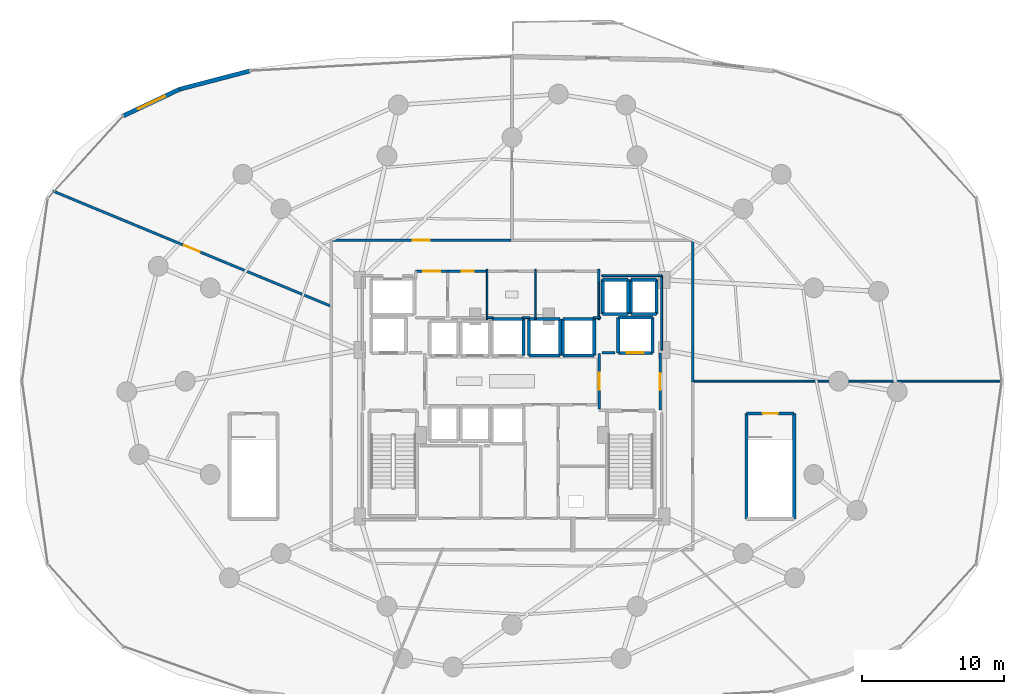
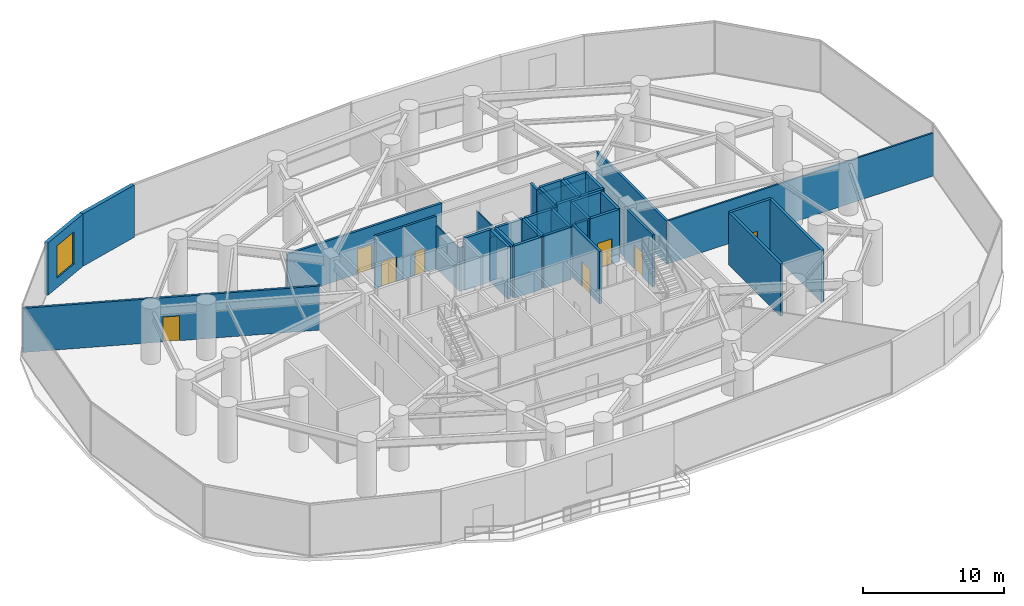
# One storey, part 28 of 32: 45 walls, 8 doors, 1 window, 9 openings.
"""IFC4 building model written with IfcOpenShell, lengths in metres."""

from ifc_helpers import new_model, si_unit, direction, frame, frame_2d, origin, place, context, subcontext, project, spatial, rectangle, extrude, material, layer, layer_set, type_object, element, fill, save


model = new_model("IFC4")

# Units and contexts
model_context = context("Model", 3, precision=1e-05, world=origin(), true_north=direction((0.0, 1.0)))
body_context = subcontext(model_context, "Body", "Model", "MODEL_VIEW")
ifc_project = project(units=[si_unit("LENGTHUNIT", "METRE"), si_unit("AREAUNIT", "SQUARE_METRE"), si_unit("VOLUMEUNIT", "CUBIC_METRE"), si_unit("PLANEANGLEUNIT", "RADIAN"), si_unit("MASSUNIT", "GRAM", prefix="KILO")], contexts=[model_context])

# Site, building, storey
site_placement = place(None, origin())
site = spatial("IfcSite", under=ifc_project, at=site_placement, CompositionType="ELEMENT")
building_placement = place(site_placement, origin())
building = spatial("IfcBuilding", under=site, at=building_placement, Name="Vorneva Point Tower", CompositionType="ELEMENT")
storey_placement = place(building_placement, frame((0.0, 0.0, 19.199951171875)))
storey = spatial("IfcBuildingStorey", under=building, at=storey_placement, Name="L04", CompositionType="ELEMENT", Elevation=19.199951171875)

# Wall, opening, door
ifc_material_1 = material(Name="Concrete B60 (C50/60)", Category="concrete")
ifc_layer_1 = layer(ifc_material_1, 0.5)
ifc_layer_set_1 = layer_set([ifc_layer_1], Name="Concrete B60 (C50/60)")
wall_type_1 = type_object("IfcWallType", Name="WL-CORE-500", PredefinedType="SHEAR", material=ifc_layer_set_1)
wall_1_placement = place(storey_placement, frame((45.5, 28.0, 0.0), z_axis=(0.0, 0.0, 1.0), x_axis=(1.0, 0.0, 0.0)))
wall_1 = element("IfcWall", 1, at=wall_1_placement, inside=storey, type_object=wall_type_1, Name="L04 Lift FFL2 Shaft Wall -Y", PredefinedType="SHEAR", context=body_context, shape_type="SweptSolid", body=[
    extrude(rectangle(XDim=2.39990234375, YDim=0.219970703125, at=frame_2d((1.199951171875, 0.0))), origin(), (0.0, 0.0, 1.0), 4.5400390625),
])
opening_1_placement = place(wall_1_placement, frame((0.60009765625, 0.0, 0.0)))
opening_1 = element("IfcOpeningElement", 2, at=opening_1_placement, cuts=wall_1, Name="Opening LD-02", PredefinedType="OPENING", context=body_context, shape_type="SweptSolid", body=[
    extrude(rectangle(XDim=1.199951171875, YDim=2.199951171875, at=frame_2d((0.60009765625, 1.10009765625))), frame((0.0, 0.125, 0.0), z_axis=(0.0, -1.0, 0.0), x_axis=(1.0, 0.0, 0.0)), (0.0, 0.0, 1.0), 0.249755859375),
])
ifc_material_2 = material(Name="Brushed stainless steel S304", Category="steel")
door_type_1 = type_object("IfcDoorType", Name="LD-FIRE-1200", OperationType="SLIDING_TO_LEFT", PredefinedType="DOOR", material=ifc_material_2)
door_1_placement = place(opening_1_placement, origin())
door_1 = element("IfcDoor", 3, at=door_1_placement, inside=storey, type_object=door_type_1, Name="L04 Lift FFL2 Sliding Landing Door", OperationType="SLIDING_TO_LEFT", OverallHeight=2.199951171875, OverallWidth=1.199951171875, PredefinedType="DOOR", context=body_context, shape_type="SweptSolid", body=[
    extrude(rectangle(XDim=1.199951171875, YDim=2.199951171875, at=frame_2d((0.60009765625, 1.10009765625))), frame((0.0, 0.02490234375, 0.0), z_axis=(0.0, -1.0, 0.0), x_axis=(1.0, 0.0, 0.0)), (0.0, 0.0, 1.0), 0.050048828125),
])
fill(opening_1, door_1)

# Walls
wall_2_placement = place(storey_placement, frame((47.89990234375, 28.0, 0.0), z_axis=(0.0, 0.0, 1.0), x_axis=(0.0, 1.0, 0.0)))
element("IfcWall", 4, at=wall_2_placement, inside=storey, type_object=wall_type_1, Name="L04 Lift FFL2 Shaft Wall +X", PredefinedType="SHEAR", context=body_context, shape_type="SweptSolid", body=[
    extrude(rectangle(XDim=2.5, YDim=0.219970703125, at=frame_2d((1.25, 0.0))), origin(), (0.0, 0.0, 1.0), 4.5400390625),
])
wall_3_placement = place(storey_placement, frame((47.89990234375, 30.5, 0.0), z_axis=(0.0, 0.0, 1.0), x_axis=(-1.0, 0.0, 0.0)))
element("IfcWall", 5, at=wall_3_placement, inside=storey, type_object=wall_type_1, Name="L04 Lift FFL2 Shaft Wall +Y", PredefinedType="SHEAR", context=body_context, shape_type="SweptSolid", body=[
    extrude(rectangle(XDim=2.39990234375, YDim=0.219970703125, at=frame_2d((1.199951171875, 0.0))), origin(), (0.0, 0.0, 1.0), 4.5400390625),
])
wall_4_placement = place(storey_placement, frame((45.5, 30.5, 0.0), z_axis=(0.0, 0.0, 1.0), x_axis=(0.0, -1.0, 0.0)))
element("IfcWall", 6, at=wall_4_placement, inside=storey, type_object=wall_type_1, Name="L04 Lift FFL2 Shaft Wall -X", PredefinedType="SHEAR", context=body_context, shape_type="SweptSolid", body=[
    extrude(rectangle(XDim=2.5, YDim=0.219970703125, at=frame_2d((1.25, 0.0))), origin(), (0.0, 0.0, 1.0), 4.5400390625),
])
ifc_material_3 = material(Name="Precast concrete B50 (C40/50)", Category="concrete")
ifc_layer_2 = layer(ifc_material_3, 0.300048828125)
ifc_layer_set_2 = layer_set([ifc_layer_2], Name="Precast concrete B50 (C40/50)")
wall_type_2 = type_object("IfcWallType", Name="WL-EXT-300", PredefinedType="STANDARD", material=ifc_layer_set_2)
wall_5_placement = place(storey_placement, frame((19.517578125, 47.892822265625, 0.0), z_axis=(0.0, 0.0, 1.0), x_axis=(-0.967631926566, -0.252365716155, 0.0)))
element("IfcWall", 7, at=wall_5_placement, inside=storey, type_object=wall_type_2, Name="L04 Pale-Metal Facade Spandrel Wall 06.1", PredefinedType="STANDARD", context=body_context, shape_type="SweptSolid", body=[
    extrude(rectangle(XDim=5.130126953125, YDim=0.300048828125, at=frame_2d((2.56494140625, 0.0))), origin(), (0.0, 0.0, 1.0), 4.5400390625),
])

# Wall, opening, window
wall_6_placement = place(storey_placement, frame((14.553466796875, 46.59814453125, 0.0), z_axis=(0.0, 0.0, 1.0), x_axis=(-0.904206917273, -0.427094662523, 0.0)))
wall_6 = element("IfcWall", 8, at=wall_6_placement, inside=storey, type_object=wall_type_2, Name="L04 Pale-Metal Facade Spandrel Wall 06.2", PredefinedType="STANDARD", context=body_context, shape_type="SweptSolid", body=[
    extrude(rectangle(XDim=4.39306640625, YDim=0.300048828125, at=frame_2d((2.196533203125, 0.0))), origin(), (0.0, 0.0, 1.0), 4.5400390625),
])
opening_2_placement = place(wall_6_placement, frame((1.146484375, 0.0, 0.85009765625)))
opening_2 = element("IfcOpeningElement", 9, at=opening_2_placement, cuts=wall_6, Name="Opening W-05", PredefinedType="OPENING", context=body_context, shape_type="SweptSolid", body=[
    extrude(rectangle(XDim=2.10009765625, YDim=2.800048828125, at=frame_2d((1.050048828125, 1.39990234375))), frame((0.0, 0.1650390625, 0.0), z_axis=(0.0, -1.0, 0.0), x_axis=(1.0, 0.0, 0.0)), (0.0, 0.0, 1.0), 0.329833984375),
])
ifc_material_4 = material(Name="Double low-e laminated glass IGU", Category="glass")
window_type = type_object("IfcWindowType", Name="WN-POD-2100", PartitioningType="SINGLE_PANEL", PredefinedType="WINDOW", material=ifc_material_4)
window_placement = place(opening_2_placement, origin())
window = element("IfcWindow", 10, at=window_placement, inside=storey, type_object=window_type, Name="L04 Facade Window 06", OverallHeight=2.800048828125, OverallWidth=2.10009765625, PartitioningType="SINGLE_PANEL", PredefinedType="WINDOW", context=body_context, shape_type="SweptSolid", body=[
    extrude(rectangle(XDim=2.10009765625, YDim=2.800048828125, at=frame_2d((1.050048828125, 1.39990234375))), frame((0.0, 0.030029296875, 0.0), z_axis=(0.0, -1.0, 0.0), x_axis=(1.0, 0.0, 0.0)), (0.0, 0.0, 1.0), 0.06005859375),
])
fill(opening_2, window)

# Walls
ifc_material_5 = material(Name="Fire-rated acoustic gypsum stud partition", Category="gypsum")
ifc_layer_3 = layer(ifc_material_5, 0.110107421875)
ifc_layer_set_3 = layer_set([ifc_layer_3], Name="Fire-rated acoustic gypsum stud partition")
wall_type_3 = type_object("IfcWallType", Name="WL-PART-110", PredefinedType="PARTITIONING", material=ifc_layer_set_3)
for number, where, z_axis, x_axis, name in (
    (11, (36.25, 30.340087890625, 0.0), (0.0, 0.0, 1.0), (0.0, 1.0, 0.0), "L04 Interior Partition 017"),
    (12, (39.64990234375, 30.340087890625, 0.0), (0.0, 0.0, 1.0), (0.0, 1.0, 0.0), "L04 Interior Partition 019"),
):
    element("IfcWall", number, at=place(storey_placement, frame(where, z_axis=z_axis, x_axis=x_axis)), inside=storey, type_object=wall_type_3, Name=name, PredefinedType="PARTITIONING", context=body_context, shape_type="SweptSolid", body=[
        extrude(rectangle(XDim=3.559814453125, YDim=0.110107421875, at=frame_2d((1.77978515625, 0.0))), origin(), (0.0, 0.0, 1.0), 3.73193359375),
    ])
ifc_layer_4 = layer(ifc_material_5, 0.139892578125)
ifc_layer_set_4 = layer_set([ifc_layer_4], Name="Fire-rated acoustic gypsum stud partition")
wall_type_4 = type_object("IfcWallType", Name="WL-PART-140", PredefinedType="PARTITIONING", material=ifc_layer_set_4)
wall_7_placement = place(storey_placement, frame((50.75, 26.0, 0.0), z_axis=(0.0, 0.0, 1.0), x_axis=(1.0, 0.0, 0.0)))
element("IfcWall", 13, at=wall_7_placement, inside=storey, type_object=wall_type_4, Name="L04 Interior Partition 039", PredefinedType="PARTITIONING", context=body_context, shape_type="SweptSolid", body=[
    extrude(rectangle(XDim=21.81298828125, YDim=0.139892578125, at=frame_2d((10.906494140625, 0.0))), origin(), (0.0, 0.0, 1.0), 3.73193359375),
])
wall_8_placement = place(storey_placement, frame((36.219970703125, 30.47998046875, 0.0), z_axis=(0.0, 0.0, 1.0), x_axis=(1.0, 0.0, 0.0)))
element("IfcWall", 14, at=wall_8_placement, inside=storey, type_object=wall_type_4, Name="L04 Interior Closure Partition 047", PredefinedType="PARTITIONING", context=body_context, shape_type="SweptSolid", body=[
    extrude(rectangle(XDim=0.445068359375, YDim=0.139892578125, at=frame_2d((0.22265625, 0.0))), origin(), (0.0, 0.0, 1.0), 3.73193359375),
])
wall_9_placement = place(storey_placement, frame((38.735107421875, 30.47998046875, 0.0), z_axis=(0.0, 0.0, 1.0), x_axis=(1.0, 0.0, 0.0)))
element("IfcWall", 15, at=wall_9_placement, inside=storey, type_object=wall_type_4, Name="L04 Interior Closure Partition 048", PredefinedType="PARTITIONING", context=body_context, shape_type="SweptSolid", body=[
    extrude(rectangle(XDim=0.52978515625, YDim=0.139892578125, at=frame_2d((0.264892578125, 0.0))), origin(), (0.0, 0.0, 1.0), 3.73193359375),
])
wall_10_placement = place(storey_placement, frame((43.735107421875, 30.47998046875, 0.0), z_axis=(0.0, 0.0, 1.0), x_axis=(1.0, 0.0, 0.0)))
element("IfcWall", 16, at=wall_10_placement, inside=storey, type_object=wall_type_4, Name="L04 Interior Closure Partition 049", PredefinedType="PARTITIONING", context=body_context, shape_type="SweptSolid", body=[
    extrude(rectangle(XDim=0.52490234375, YDim=0.139892578125, at=frame_2d((0.262451171875, 0.0))), origin(), (0.0, 0.0, 1.0), 4.5400390625),
])
wall_11_placement = place(storey_placement, frame((44.1201171875, 30.340087890625, 0.0), z_axis=(0.0, 0.0, 1.0), x_axis=(0.0, 1.0, 0.0)))
element("IfcWall", 17, at=wall_11_placement, inside=storey, type_object=wall_type_4, Name="L04 Interior Closure Partition 050", PredefinedType="PARTITIONING", context=body_context, shape_type="SweptSolid", body=[
    extrude(rectangle(XDim=2.659912109375, YDim=0.139892578125, at=frame_2d((1.330078125, 0.0))), origin(), (0.0, 0.0, 1.0), 4.5400390625),
])
wall_12_placement = place(storey_placement, frame((44.340087890625, 33.449951171875, 0.0), z_axis=(0.0, 0.0, 1.0), x_axis=(1.0, 0.0, 0.0)))
element("IfcWall", 18, at=wall_12_placement, inside=storey, type_object=wall_type_4, Name="L04 Interior Closure Partition 053", PredefinedType="PARTITIONING", context=body_context, shape_type="SweptSolid", body=[
    extrude(rectangle(XDim=4.2099609375, YDim=0.139892578125, at=frame_2d((2.10498046875, 0.0))), origin(), (0.0, 0.0, 1.0), 3.73193359375),
])
wall_13_placement = place(storey_placement, frame((48.550048828125, 33.449951171875, 0.0), z_axis=(0.0, 0.0, 1.0), x_axis=(0.0, -1.0, 0.0)))
element("IfcWall", 19, at=wall_13_placement, inside=storey, type_object=wall_type_4, Name="L04 Interior Closure Partition 054", PredefinedType="PARTITIONING", context=body_context, shape_type="SweptSolid", body=[
    extrude(rectangle(XDim=5.25390625, YDim=0.139892578125, at=frame_2d((2.626953125, 0.0))), origin(), (0.0, 0.0, 1.0), 3.73193359375),
])

# Wall, opening, door
ifc_material_6 = material(Name="Autoclaved aerated concrete blockwork", Category="masonry")
ifc_layer_5 = layer(ifc_material_6, 0.179931640625)
ifc_layer_set_5 = layer_set([ifc_layer_5], Name="Autoclaved aerated concrete blockwork")
wall_type_5 = type_object("IfcWallType", Name="WL-PART-180", PredefinedType="PARTITIONING", material=ifc_layer_set_5)
wall_14_placement = place(storey_placement, frame((44.14990234375, 27.955078125, 0.0), z_axis=(0.0, 0.0, 1.0), x_axis=(0.0, -1.0, 0.0)))
wall_14 = element("IfcWall", 20, at=wall_14_placement, inside=storey, type_object=wall_type_5, Name="L04 Interior Partition 003", PredefinedType="PARTITIONING", context=body_context, shape_type="SweptSolid", body=[
    extrude(rectangle(XDim=3.91015625, YDim=0.179931640625, at=frame_2d((1.955078125, 0.0))), origin(), (0.0, 0.0, 1.0), 4.5400390625),
])
opening_3_placement = place(wall_14_placement, frame((1.35498046875, 0.0, 0.0)))
opening_3 = element("IfcOpeningElement", 21, at=opening_3_placement, cuts=wall_14, Name="Opening FD-02", PredefinedType="OPENING", context=body_context, shape_type="SweptSolid", body=[
    extrude(rectangle(XDim=1.199951171875, YDim=2.14990234375, at=frame_2d((0.60009765625, 1.074951171875))), frame((0.0, 0.10498046875, 0.0), z_axis=(0.0, -1.0, 0.0), x_axis=(1.0, 0.0, 0.0)), (0.0, 0.0, 1.0), 0.209716796875),
])
ifc_material_7 = material(Name="Fire-rated powder-coated steel", Category="steel")
door_type_2 = type_object("IfcDoorType", Name="DR-FFL-1200", OperationType="NOTDEFINED", PredefinedType="DOOR", material=ifc_material_7)
door_2_placement = place(opening_3_placement, origin())
door_2 = element("IfcDoor", 22, at=door_2_placement, inside=storey, type_object=door_type_2, Name="L04 Door East Firefighting Lobby / Central Lift Lobby", OperationType="SINGLE_SWING_RIGHT", OverallHeight=2.14990234375, OverallWidth=1.199951171875, PredefinedType="DOOR", context=body_context, shape_type="SweptSolid", body=[
    extrude(rectangle(XDim=1.199951171875, YDim=2.14990234375, at=frame_2d((0.60009765625, 1.074951171875))), frame((0.0, 0.02490234375, 0.0), z_axis=(0.0, -1.0, 0.0), x_axis=(1.0, 0.0, 0.0)), (0.0, 0.0, 1.0), 0.050048828125),
])
fill(opening_3, door_2)

wall_15_placement = place(storey_placement, frame((48.449951171875, 23.949951171875, 0.0), z_axis=(0.0, 0.0, 1.0), x_axis=(0.0, 1.0, 0.0)))
wall_15 = element("IfcWall", 23, at=wall_15_placement, inside=storey, type_object=wall_type_5, Name="L04 Interior Partition 005", PredefinedType="PARTITIONING", context=body_context, shape_type="SweptSolid", body=[
    extrude(rectangle(XDim=4.050048828125, YDim=0.179931640625, at=frame_2d((2.02490234375, 0.0))), origin(), (0.0, 0.0, 1.0), 4.5400390625),
])
opening_4_placement = place(wall_15_placement, frame((1.425048828125, 0.0, 0.0)))
opening_4 = element("IfcOpeningElement", 24, at=opening_4_placement, cuts=wall_15, Name="Opening FD-02", PredefinedType="OPENING", context=body_context, shape_type="SweptSolid", body=[
    extrude(rectangle(XDim=1.199951171875, YDim=2.14990234375, at=frame_2d((0.60009765625, 1.074951171875))), frame((0.0, 0.10498046875, 0.0), z_axis=(0.0, -1.0, 0.0), x_axis=(1.0, 0.0, 0.0)), (0.0, 0.0, 1.0), 0.209716796875),
])
door_3_placement = place(opening_4_placement, origin())
door_3 = element("IfcDoor", 25, at=door_3_placement, inside=storey, type_object=door_type_2, Name="L04 Door East Firefighting Lobby / L04 Circulation Corridor", OperationType="SINGLE_SWING_LEFT", OverallHeight=2.14990234375, OverallWidth=1.199951171875, PredefinedType="DOOR", context=body_context, shape_type="SweptSolid", body=[
    extrude(rectangle(XDim=1.199951171875, YDim=2.14990234375, at=frame_2d((0.60009765625, 1.074951171875))), frame((0.0, 0.02490234375, 0.0), z_axis=(0.0, -1.0, 0.0), x_axis=(1.0, 0.0, 0.0)), (0.0, 0.0, 1.0), 0.050048828125),
])
fill(opening_4, door_3)

wall_16_placement = place(storey_placement, frame((33.469970703125, 33.760009765625, 0.0), z_axis=(0.0, 0.0, 1.0), x_axis=(-1.0, 0.0, 0.0)))
wall_16 = element("IfcWall", 26, at=wall_16_placement, inside=storey, type_object=wall_type_5, Name="L04 Interior Partition 007", PredefinedType="PARTITIONING", context=body_context, shape_type="SweptSolid", body=[
    extrude(rectangle(XDim=2.27001953125, YDim=0.179931640625, at=frame_2d((1.135009765625, 0.0))), origin(), (0.0, 0.0, 1.0), 4.5400390625),
])
opening_5_placement = place(wall_16_placement, frame((0.534912109375, 0.0, 0.0)))
opening_5 = element("IfcOpeningElement", 27, at=opening_5_placement, cuts=wall_16, Name="Opening FD-02", PredefinedType="OPENING", context=body_context, shape_type="SweptSolid", body=[
    extrude(rectangle(XDim=1.199951171875, YDim=2.14990234375, at=frame_2d((0.60009765625, 1.074951171875))), frame((0.0, 0.10498046875, 0.0), z_axis=(0.0, -1.0, 0.0), x_axis=(1.0, 0.0, 0.0)), (0.0, 0.0, 1.0), 0.209716796875),
])
door_4_placement = place(opening_5_placement, origin())
door_4 = element("IfcDoor", 28, at=door_4_placement, inside=storey, type_object=door_type_2, Name="L04 Door Service Lift Lobby / L04 Circulation Corridor", OperationType="SINGLE_SWING_LEFT", OverallHeight=2.14990234375, OverallWidth=1.199951171875, PredefinedType="DOOR", context=body_context, shape_type="SweptSolid", body=[
    extrude(rectangle(XDim=1.199951171875, YDim=2.14990234375, at=frame_2d((0.60009765625, 1.074951171875))), frame((0.0, 0.02490234375, 0.0), z_axis=(0.0, -1.0, 0.0), x_axis=(1.0, 0.0, 0.0)), (0.0, 0.0, 1.0), 0.050048828125),
])
fill(opening_5, door_4)

wall_17_placement = place(storey_placement, frame((36.25, 33.760009765625, 0.0), z_axis=(0.0, 0.0, 1.0), x_axis=(-1.0, 0.0, 0.0)))
wall_17 = element("IfcWall", 29, at=wall_17_placement, inside=storey, type_object=wall_type_5, Name="L04 Interior Partition 018", PredefinedType="PARTITIONING", context=body_context, shape_type="SweptSolid", body=[
    extrude(rectangle(XDim=2.75, YDim=0.179931640625, at=frame_2d((1.375, 0.0))), origin(), (0.0, 0.0, 1.0), 4.5400390625),
])
opening_6_placement = place(wall_17_placement, frame((0.949951171875, 0.0, 0.0)))
opening_6 = element("IfcOpeningElement", 30, at=opening_6_placement, cuts=wall_17, Name="Opening ID-02", PredefinedType="OPENING", context=body_context, shape_type="SweptSolid", body=[
    extrude(rectangle(XDim=0.85009765625, YDim=2.10009765625, at=frame_2d((0.425048828125, 1.050048828125))), frame((0.0, 0.10498046875, 0.0), z_axis=(0.0, -1.0, 0.0), x_axis=(1.0, 0.0, 0.0)), (0.0, 0.0, 1.0), 0.209716796875),
])
ifc_material_8 = material(Name="Engineered oak fire-rated door leaf", Category="wood")
door_type_3 = type_object("IfcDoorType", Name="DR-BATH-850", OperationType="NOTDEFINED", PredefinedType="DOOR", material=ifc_material_8)
door_5_placement = place(opening_6_placement, origin())
door_5 = element("IfcDoor", 31, at=door_5_placement, inside=storey, type_object=door_type_3, Name="L04 Door Core Supply Store / L04 Circulation Corridor", OperationType="SINGLE_SWING_LEFT", OverallHeight=2.10009765625, OverallWidth=0.85009765625, PredefinedType="DOOR", context=body_context, shape_type="SweptSolid", body=[
    extrude(rectangle(XDim=0.85009765625, YDim=2.10009765625, at=frame_2d((0.425048828125, 1.050048828125))), frame((0.0, 0.02490234375, 0.0), z_axis=(0.0, -1.0, 0.0), x_axis=(1.0, 0.0, 0.0)), (0.0, 0.0, 1.0), 0.050048828125),
])
fill(opening_6, door_5)

# Walls
wall_18_placement = place(storey_placement, frame((44.1201171875, 32.969970703125, 0.0), z_axis=(0.0, 0.0, 1.0), x_axis=(0.0, 1.0, 0.0)))
element("IfcWall", 32, at=wall_18_placement, inside=storey, type_object=wall_type_5, Name="L04 Interior Partition 022", PredefinedType="PARTITIONING", context=body_context, shape_type="SweptSolid", body=[
    extrude(rectangle(XDim=0.929931640625, YDim=0.179931640625, at=frame_2d((0.46484375, 0.0))), origin(), (0.0, 0.0, 1.0), 4.5400390625),
])
wall_19_placement = place(storey_placement, frame((50.75, 25.93994140625, 0.0), z_axis=(0.0, 0.0, 1.0), x_axis=(0.0, 1.0, 0.0)))
element("IfcWall", 33, at=wall_19_placement, inside=storey, type_object=wall_type_5, Name="L04 Interior Partition 026", PredefinedType="PARTITIONING", context=body_context, shape_type="SweptSolid", body=[
    extrude(rectangle(XDim=10.010009765625, YDim=0.179931640625, at=frame_2d((5.0048828125, 0.0))), origin(), (0.0, 0.0, 1.0), 3.73193359375),
])

# Wall, opening, door
wall_20_placement = place(storey_placement, frame((37.93994140625, 35.949951171875, 0.0), z_axis=(0.0, 0.0, 1.0), x_axis=(-1.0, 0.0, 0.0)))
wall_20 = element("IfcWall", 34, at=wall_20_placement, inside=storey, type_object=wall_type_5, Name="L04 Interior Partition 028", PredefinedType="PARTITIONING", context=body_context, shape_type="SweptSolid", body=[
    extrude(rectangle(XDim=12.68994140625, YDim=0.179931640625, at=frame_2d((6.344970703125, 0.0))), origin(), (0.0, 0.0, 1.0), 3.73193359375),
])
opening_7_placement = place(wall_20_placement, frame((5.7451171875, 0.0, 0.0)))
opening_7 = element("IfcOpeningElement", 35, at=opening_7_placement, cuts=wall_20, Name="Opening FD-02", PredefinedType="OPENING", context=body_context, shape_type="SweptSolid", body=[
    extrude(rectangle(XDim=1.199951171875, YDim=2.14990234375, at=frame_2d((0.60009765625, 1.074951171875))), frame((0.0, 0.10498046875, 0.0), z_axis=(0.0, -1.0, 0.0), x_axis=(1.0, 0.0, 0.0)), (0.0, 0.0, 1.0), 0.209716796875),
])
door_6_placement = place(opening_7_placement, origin())
door_6 = element("IfcDoor", 36, at=door_6_placement, inside=storey, type_object=door_type_2, Name="L04 Door L04 Circulation Corridor / Pre-Function Foyer L04", OperationType="SINGLE_SWING_LEFT", OverallHeight=2.14990234375, OverallWidth=1.199951171875, PredefinedType="DOOR", context=body_context, shape_type="SweptSolid", body=[
    extrude(rectangle(XDim=1.199951171875, YDim=2.14990234375, at=frame_2d((0.60009765625, 1.074951171875))), frame((0.0, 0.02490234375, 0.0), z_axis=(0.0, -1.0, 0.0), x_axis=(1.0, 0.0, 0.0)), (0.0, 0.0, 1.0), 0.050048828125),
])
fill(opening_7, door_6)

wall_21_placement = place(storey_placement, frame((5.591064453125, 39.424072265625, 0.0), z_axis=(0.0, 0.0, 1.0), x_axis=(0.923878391349, -0.382686187363, 0.0)))
wall_21 = element("IfcWall", 37, at=wall_21_placement, inside=storey, type_object=wall_type_5, Name="L04 Interior Partition 040", PredefinedType="PARTITIONING", context=body_context, shape_type="SweptSolid", body=[
    extrude(rectangle(XDim=21.27880859375, YDim=0.179931640625, at=frame_2d((10.639404296875, 0.0))), origin(), (0.0, 0.0, 1.0), 3.8291015625),
])
opening_8_placement = place(wall_21_placement, frame((10.039306640625, 0.0, 0.0)))
opening_8 = element("IfcOpeningElement", 38, at=opening_8_placement, cuts=wall_21, Name="Opening FD-02", PredefinedType="OPENING", context=body_context, shape_type="SweptSolid", body=[
    extrude(rectangle(XDim=1.199951171875, YDim=2.14990234375, at=frame_2d((0.60009765625, 1.074951171875))), frame((0.0, 0.10498046875, 0.0), z_axis=(0.0, -1.0, 0.0), x_axis=(1.0, 0.0, 0.0)), (0.0, 0.0, 1.0), 0.209716796875),
])
door_7_placement = place(opening_8_placement, origin())
door_7 = element("IfcDoor", 39, at=door_7_placement, inside=storey, type_object=door_type_2, Name="L04 Door Pre-Function Foyer L04 / Conference Hall L04", OperationType="SINGLE_SWING_RIGHT", OverallHeight=2.14990234375, OverallWidth=1.199951171875, PredefinedType="DOOR", context=body_context, shape_type="SweptSolid", body=[
    extrude(rectangle(XDim=1.199951171875, YDim=2.14990234375, at=frame_2d((0.60009765625, 1.074951171875))), frame((0.0, 0.02490234375, 0.0), z_axis=(0.0, -1.0, 0.0), x_axis=(1.0, 0.0, 0.0)), (0.0, 0.0, 1.0), 0.050048828125),
])
fill(opening_8, door_7)

# Wall
wall_22_placement = place(storey_placement, frame((45.280029296875, 28.0, 0.0), z_axis=(0.0, 0.0, 1.0), x_axis=(-1.0, 0.0, 0.0)))
element("IfcWall", 40, at=wall_22_placement, inside=storey, type_object=wall_type_5, Name="L04 Interior Closure Partition 044", PredefinedType="PARTITIONING", context=body_context, shape_type="SweptSolid", body=[
    extrude(rectangle(XDim=0.9150390625, YDim=0.179931640625, at=frame_2d((0.45751953125, 0.0))), origin(), (0.0, 0.0, 1.0), 4.5400390625),
])

# Wall, opening, door
ifc_material_9 = material(Name="Concrete B50 (C40/50)", Category="concrete")
ifc_layer_6 = layer(ifc_material_9, 0.219970703125)
ifc_layer_set_6 = layer_set([ifc_layer_6], Name="Concrete B50 (C40/50)")
wall_type_6 = type_object("IfcWallType", Name="WL-SHFT-220", PredefinedType="SOLIDWALL", material=ifc_layer_set_6)
wall_23_placement = place(storey_placement, frame((54.5400390625, 23.7099609375, 0.0), z_axis=(0.0, 0.0, 1.0), x_axis=(1.0, 0.0, 0.0)))
wall_23 = element("IfcWall", 41, at=wall_23_placement, inside=storey, type_object=wall_type_6, Name="L04 Exit Stair ST4 Shaft Wall near", PredefinedType="SOLIDWALL", context=body_context, shape_type="SweptSolid", body=[
    extrude(rectangle(XDim=3.369873046875, YDim=0.219970703125, at=frame_2d((1.68505859375, 0.0))), origin(), (0.0, 0.0, 1.0), 4.5400390625),
])
opening_9_placement = place(wall_23_placement, frame((1.135009765625, 0.0, 0.0)))
opening_9 = element("IfcOpeningElement", 42, at=opening_9_placement, cuts=wall_23, Name="Opening FD-01", PredefinedType="OPENING", context=body_context, shape_type="SweptSolid", body=[
    extrude(rectangle(XDim=1.10009765625, YDim=2.14990234375, at=frame_2d((0.550048828125, 1.074951171875))), frame((0.0, 0.125, 0.0), z_axis=(0.0, -1.0, 0.0), x_axis=(1.0, 0.0, 0.0)), (0.0, 0.0, 1.0), 0.249755859375),
])
door_type_4 = type_object("IfcDoorType", Name="DR-STAIR-1100", OperationType="NOTDEFINED", PredefinedType="DOOR", material=ifc_material_7)
door_8_placement = place(opening_9_placement, origin())
door_8 = element("IfcDoor", 43, at=door_8_placement, inside=storey, type_object=door_type_4, Name="L04 Exit Stair ST4 Fire Door", OperationType="SINGLE_SWING_LEFT", OverallHeight=2.14990234375, OverallWidth=1.10009765625, PredefinedType="DOOR", context=body_context, shape_type="SweptSolid", body=[
    extrude(rectangle(XDim=1.10009765625, YDim=2.14990234375, at=frame_2d((0.550048828125, 1.074951171875))), frame((0.0, 0.02490234375, 0.0), z_axis=(0.0, -1.0, 0.0), x_axis=(1.0, 0.0, 0.0)), (0.0, 0.0, 1.0), 0.050048828125),
])
fill(opening_9, door_8)

# Walls
for number, where, z_axis, x_axis, name in (
    (44, (57.909912109375, 23.7099609375, 0.0), (0.0, 0.0, 1.0), (0.0, -1.0, 0.0), "L04 Exit Stair ST4 Shaft Wall right"),
    (45, (54.5400390625, 16.2900390625, 0.0), (0.0, 0.0, 1.0), (0.0, 1.0, 0.0), "L04 Exit Stair ST4 Shaft Wall left"),
):
    element("IfcWall", number, at=place(storey_placement, frame(where, z_axis=z_axis, x_axis=x_axis)), inside=storey, type_object=wall_type_6, Name=name, PredefinedType="SOLIDWALL", context=body_context, shape_type="SweptSolid", body=[
        extrude(rectangle(XDim=7.419921875, YDim=0.219970703125, at=frame_2d((3.7099609375, 0.0))), origin(), (0.0, 0.0, 1.0), 4.5400390625),
    ])
wall_24_placement = place(storey_placement, frame((38.800048828125, 27.800048828125, 0.0), z_axis=(0.0, 0.0, 1.0), x_axis=(0.0, 1.0, 0.0)))
element("IfcWall", 46, at=wall_24_placement, inside=storey, type_object=wall_type_6, Name="L04 Lift PL3 Shaft Wall +X", PredefinedType="SOLIDWALL", context=body_context, shape_type="SweptSolid", body=[
    extrude(rectangle(XDim=2.599853515625, YDim=0.219970703125, at=frame_2d((1.2998046875, 0.0))), origin(), (0.0, 0.0, 1.0), 4.5400390625),
])
for number, where, z_axis, x_axis, name in (
    (47, (38.800048828125, 30.39990234375, 0.0), (0.0, 0.0, 1.0), (-1.0, 0.0, 0.0), "L04 Lift PL3 Shaft Wall +Y"),
    (48, (39.199951171875, 27.800048828125, 0.0), (0.0, 0.0, 1.0), (1.0, 0.0, 0.0), "L04 Lift PL7 Shaft Wall -Y"),
):
    element("IfcWall", number, at=place(storey_placement, frame(where, z_axis=z_axis, x_axis=x_axis)), inside=storey, type_object=wall_type_6, Name=name, PredefinedType="SOLIDWALL", context=body_context, shape_type="SweptSolid", body=[
        extrude(rectangle(XDim=2.199951171875, YDim=0.219970703125, at=frame_2d((1.10009765625, 0.0))), origin(), (0.0, 0.0, 1.0), 4.5400390625),
    ])
wall_25_placement = place(storey_placement, frame((41.39990234375, 27.800048828125, 0.0), z_axis=(0.0, 0.0, 1.0), x_axis=(0.0, 1.0, 0.0)))
element("IfcWall", 49, at=wall_25_placement, inside=storey, type_object=wall_type_6, Name="L04 Lift PL7 Shaft Wall +X", PredefinedType="SOLIDWALL", context=body_context, shape_type="SweptSolid", body=[
    extrude(rectangle(XDim=2.599853515625, YDim=0.219970703125, at=frame_2d((1.2998046875, 0.0))), origin(), (0.0, 0.0, 1.0), 4.5400390625),
])
wall_26_placement = place(storey_placement, frame((41.39990234375, 30.39990234375, 0.0), z_axis=(0.0, 0.0, 1.0), x_axis=(-1.0, 0.0, 0.0)))
element("IfcWall", 50, at=wall_26_placement, inside=storey, type_object=wall_type_6, Name="L04 Lift PL7 Shaft Wall +Y", PredefinedType="SOLIDWALL", context=body_context, shape_type="SweptSolid", body=[
    extrude(rectangle(XDim=2.199951171875, YDim=0.219970703125, at=frame_2d((1.10009765625, 0.0))), origin(), (0.0, 0.0, 1.0), 4.5400390625),
])
wall_27_placement = place(storey_placement, frame((39.199951171875, 30.39990234375, 0.0), z_axis=(0.0, 0.0, 1.0), x_axis=(0.0, -1.0, 0.0)))
element("IfcWall", 51, at=wall_27_placement, inside=storey, type_object=wall_type_6, Name="L04 Lift PL7 Shaft Wall -X", PredefinedType="SOLIDWALL", context=body_context, shape_type="SweptSolid", body=[
    extrude(rectangle(XDim=2.599853515625, YDim=0.219970703125, at=frame_2d((1.2998046875, 0.0))), origin(), (0.0, 0.0, 1.0), 4.5400390625),
])
wall_28_placement = place(storey_placement, frame((41.60009765625, 27.800048828125, 0.0), z_axis=(0.0, 0.0, 1.0), x_axis=(1.0, 0.0, 0.0)))
element("IfcWall", 52, at=wall_28_placement, inside=storey, type_object=wall_type_6, Name="L04 Lift PL8 Shaft Wall -Y", PredefinedType="SOLIDWALL", context=body_context, shape_type="SweptSolid", body=[
    extrude(rectangle(XDim=2.199951171875, YDim=0.219970703125, at=frame_2d((1.10009765625, 0.0))), origin(), (0.0, 0.0, 1.0), 4.5400390625),
])
wall_29_placement = place(storey_placement, frame((43.800048828125, 27.800048828125, 0.0), z_axis=(0.0, 0.0, 1.0), x_axis=(0.0, 1.0, 0.0)))
element("IfcWall", 53, at=wall_29_placement, inside=storey, type_object=wall_type_6, Name="L04 Lift PL8 Shaft Wall +X", PredefinedType="SOLIDWALL", context=body_context, shape_type="SweptSolid", body=[
    extrude(rectangle(XDim=2.599853515625, YDim=0.219970703125, at=frame_2d((1.2998046875, 0.0))), origin(), (0.0, 0.0, 1.0), 4.5400390625),
])
wall_30_placement = place(storey_placement, frame((43.800048828125, 30.39990234375, 0.0), z_axis=(0.0, 0.0, 1.0), x_axis=(-1.0, 0.0, 0.0)))
element("IfcWall", 54, at=wall_30_placement, inside=storey, type_object=wall_type_6, Name="L04 Lift PL8 Shaft Wall +Y", PredefinedType="SOLIDWALL", context=body_context, shape_type="SweptSolid", body=[
    extrude(rectangle(XDim=2.199951171875, YDim=0.219970703125, at=frame_2d((1.10009765625, 0.0))), origin(), (0.0, 0.0, 1.0), 4.5400390625),
])
wall_31_placement = place(storey_placement, frame((41.60009765625, 30.39990234375, 0.0), z_axis=(0.0, 0.0, 1.0), x_axis=(0.0, -1.0, 0.0)))
element("IfcWall", 55, at=wall_31_placement, inside=storey, type_object=wall_type_6, Name="L04 Lift PL8 Shaft Wall -X", PredefinedType="SOLIDWALL", context=body_context, shape_type="SweptSolid", body=[
    extrude(rectangle(XDim=2.599853515625, YDim=0.219970703125, at=frame_2d((1.2998046875, 0.0))), origin(), (0.0, 0.0, 1.0), 4.5400390625),
])
wall_32_placement = place(storey_placement, frame((44.39990234375, 30.739990234375, 0.0), z_axis=(0.0, 0.0, 1.0), x_axis=(1.0, 0.0, 0.0)))
element("IfcWall", 56, at=wall_32_placement, inside=storey, type_object=wall_type_6, Name="L04 Lift EX1 Shaft Wall -Y", PredefinedType="SOLIDWALL", context=body_context, shape_type="SweptSolid", body=[
    extrude(rectangle(XDim=1.800048828125, YDim=0.219970703125, at=frame_2d((0.89990234375, 0.0))), origin(), (0.0, 0.0, 1.0), 4.5400390625),
])
wall_33_placement = place(storey_placement, frame((46.199951171875, 30.739990234375, 0.0), z_axis=(0.0, 0.0, 1.0), x_axis=(0.0, 1.0, 0.0)))
element("IfcWall", 57, at=wall_33_placement, inside=storey, type_object=wall_type_6, Name="L04 Lift EX1 Shaft Wall +X", PredefinedType="SOLIDWALL", context=body_context, shape_type="SweptSolid", body=[
    extrude(rectangle(XDim=2.419921875, YDim=0.219970703125, at=frame_2d((1.2099609375, 0.0))), origin(), (0.0, 0.0, 1.0), 4.5400390625),
])
wall_34_placement = place(storey_placement, frame((46.199951171875, 33.159912109375, 0.0), z_axis=(0.0, 0.0, 1.0), x_axis=(-1.0, 0.0, 0.0)))
element("IfcWall", 58, at=wall_34_placement, inside=storey, type_object=wall_type_6, Name="L04 Lift EX1 Shaft Wall +Y", PredefinedType="SOLIDWALL", context=body_context, shape_type="SweptSolid", body=[
    extrude(rectangle(XDim=1.800048828125, YDim=0.219970703125, at=frame_2d((0.89990234375, 0.0))), origin(), (0.0, 0.0, 1.0), 4.5400390625),
])
wall_35_placement = place(storey_placement, frame((44.39990234375, 33.159912109375, 0.0), z_axis=(0.0, 0.0, 1.0), x_axis=(0.0, -1.0, 0.0)))
element("IfcWall", 59, at=wall_35_placement, inside=storey, type_object=wall_type_6, Name="L04 Lift EX1 Shaft Wall -X", PredefinedType="SOLIDWALL", context=body_context, shape_type="SweptSolid", body=[
    extrude(rectangle(XDim=2.419921875, YDim=0.219970703125, at=frame_2d((1.2099609375, 0.0))), origin(), (0.0, 0.0, 1.0), 4.5400390625),
])
wall_36_placement = place(storey_placement, frame((46.39990234375, 30.739990234375, 0.0), z_axis=(0.0, 0.0, 1.0), x_axis=(1.0, 0.0, 0.0)))
element("IfcWall", 60, at=wall_36_placement, inside=storey, type_object=wall_type_6, Name="L04 Lift EX2 Shaft Wall -Y", PredefinedType="SOLIDWALL", context=body_context, shape_type="SweptSolid", body=[
    extrude(rectangle(XDim=1.800048828125, YDim=0.219970703125, at=frame_2d((0.89990234375, 0.0))), origin(), (0.0, 0.0, 1.0), 4.5400390625),
])
wall_37_placement = place(storey_placement, frame((48.199951171875, 30.739990234375, 0.0), z_axis=(0.0, 0.0, 1.0), x_axis=(0.0, 1.0, 0.0)))
element("IfcWall", 61, at=wall_37_placement, inside=storey, type_object=wall_type_6, Name="L04 Lift EX2 Shaft Wall +X", PredefinedType="SOLIDWALL", context=body_context, shape_type="SweptSolid", body=[
    extrude(rectangle(XDim=2.419921875, YDim=0.219970703125, at=frame_2d((1.2099609375, 0.0))), origin(), (0.0, 0.0, 1.0), 4.5400390625),
])
wall_38_placement = place(storey_placement, frame((48.199951171875, 33.159912109375, 0.0), z_axis=(0.0, 0.0, 1.0), x_axis=(-1.0, 0.0, 0.0)))
element("IfcWall", 62, at=wall_38_placement, inside=storey, type_object=wall_type_6, Name="L04 Lift EX2 Shaft Wall +Y", PredefinedType="SOLIDWALL", context=body_context, shape_type="SweptSolid", body=[
    extrude(rectangle(XDim=1.800048828125, YDim=0.219970703125, at=frame_2d((0.89990234375, 0.0))), origin(), (0.0, 0.0, 1.0), 4.5400390625),
])
wall_39_placement = place(storey_placement, frame((46.39990234375, 33.159912109375, 0.0), z_axis=(0.0, 0.0, 1.0), x_axis=(0.0, -1.0, 0.0)))
element("IfcWall", 63, at=wall_39_placement, inside=storey, type_object=wall_type_6, Name="L04 Lift EX2 Shaft Wall -X", PredefinedType="SOLIDWALL", context=body_context, shape_type="SweptSolid", body=[
    extrude(rectangle(XDim=2.419921875, YDim=0.219970703125, at=frame_2d((1.2099609375, 0.0))), origin(), (0.0, 0.0, 1.0), 4.5400390625),
])

save(model, "model.ifc")
